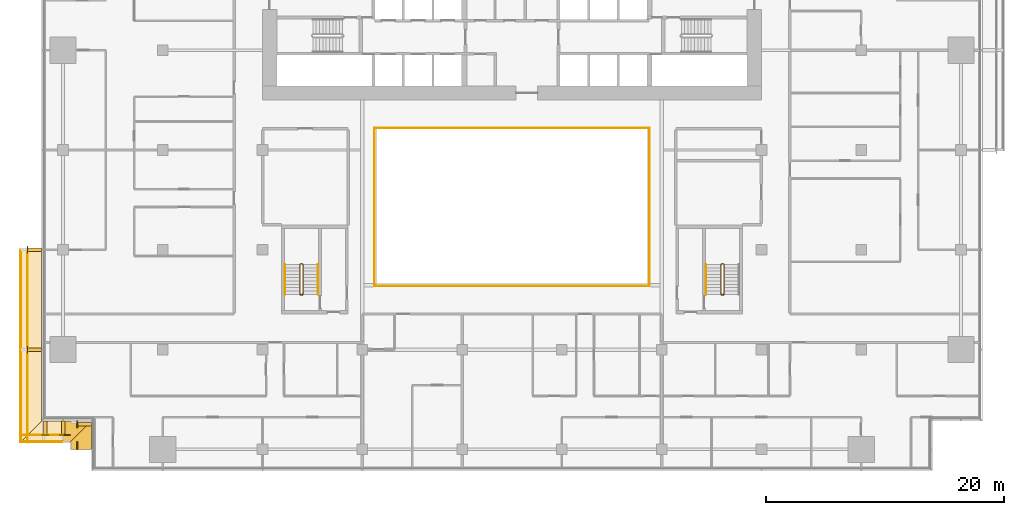
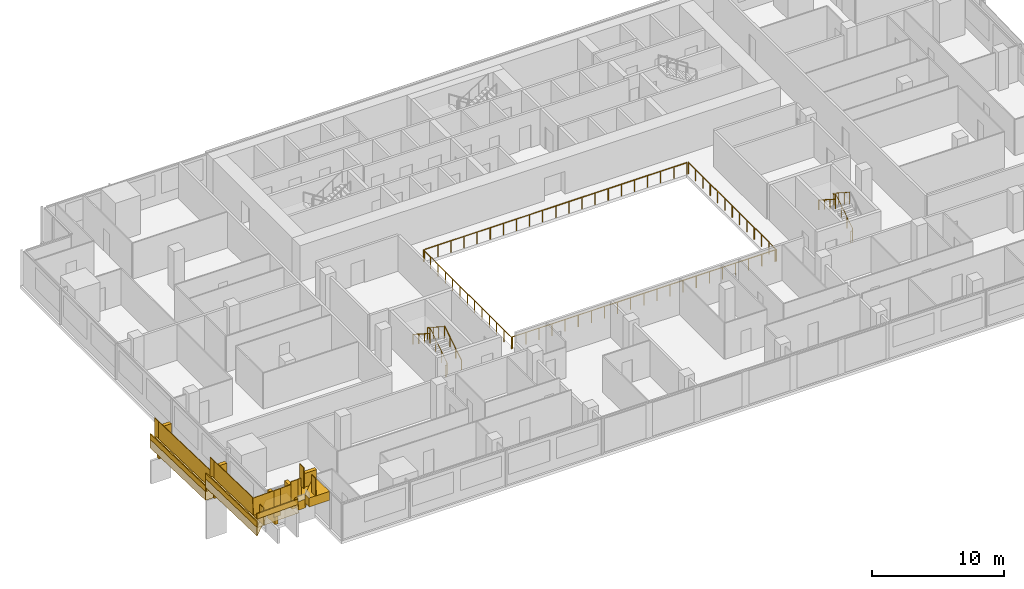
# One storey, part 23 of 27: 19 railings, 13 coverings.
"""IFC4 building model written with IfcOpenShell, lengths in metres."""

from ifc_helpers import new_model, si_unit, direction, frame, origin, origin_2d, place, context, subcontext, project, spatial, polyline, rectangle, circle, outline, extrude, material, layer, layer_set, type_object, element, save


model = new_model("IFC4")

# Units and contexts
model_context = context("Model", 3, precision=1e-05, world=origin(), true_north=direction((0.0, 1.0)))
body_context = subcontext(model_context, "Body", "Model", "MODEL_VIEW")
ifc_project = project(units=[si_unit("LENGTHUNIT", "METRE"), si_unit("AREAUNIT", "SQUARE_METRE"), si_unit("VOLUMEUNIT", "CUBIC_METRE"), si_unit("PLANEANGLEUNIT", "RADIAN"), si_unit("MASSUNIT", "GRAM", prefix="KILO")], contexts=[model_context])

# Site, building, storey
site_placement = place(None, origin())
site = spatial("IfcSite", under=ifc_project, at=site_placement, CompositionType="ELEMENT")
building_placement = place(site_placement, origin())
building = spatial("IfcBuilding", under=site, at=building_placement, Name="Saffron Gate Tower", CompositionType="ELEMENT")
storey_placement = place(building_placement, frame((0.0, 0.0, 76.800048828125)))
storey = spatial("IfcBuildingStorey", under=building, at=storey_placement, Name="L18", CompositionType="ELEMENT", Elevation=76.800048828125)

# Railings
ifc_material_1 = material(Name="Stainless steel and laminated glass", Category="steel")
railing_type_1 = type_object("IfcRailingType", Name="AG1 Atrium edge guard 1100", PredefinedType="GUARDRAIL", material=ifc_material_1)
railing_1_placement = place(storey_placement, frame((76.02001953125, 45.5400390625, 0.0)))
element("IfcRailing", 1, at=railing_1_placement, inside=storey, type_object=railing_type_1, Name="Guard A4-1", PredefinedType="GUARDRAIL", context=body_context, shape_type="SweptSolid", body=[
    extrude(circle(Radius=0.02392578125, at=origin_2d()), frame((0.0, 0.0, 1.076171875), z_axis=(0.0, 1.0, 0.0), x_axis=(-1.0, 0.0, 0.0)), (0.0, 0.0, 1.0), 13.320068359375),
    extrude(circle(Radius=0.02099609375, at=origin_2d()), origin(), (0.0, 0.0, 1.0), 1.052001953125),
    extrude(circle(Radius=0.02099609375, at=origin_2d()), frame((0.0, 1.110107421875, 0.0)), (0.0, 0.0, 1.0), 1.052001953125),
    extrude(circle(Radius=0.02099609375, at=origin_2d()), frame((0.0, 2.219970703125, 0.0)), (0.0, 0.0, 1.0), 1.052001953125),
    extrude(circle(Radius=0.02099609375, at=origin_2d()), frame((0.0, 3.330078125, 0.0)), (0.0, 0.0, 1.0), 1.052001953125),
    extrude(circle(Radius=0.02099609375, at=origin_2d()), frame((0.0, 4.43994140625, 0.0)), (0.0, 0.0, 1.0), 1.052001953125),
    extrude(circle(Radius=0.02099609375, at=origin_2d()), frame((0.0, 5.550048828125, 0.0)), (0.0, 0.0, 1.0), 1.052001953125),
    extrude(circle(Radius=0.02099609375, at=origin_2d()), frame((0.0, 6.66015625, 0.0)), (0.0, 0.0, 1.0), 1.052001953125),
    extrude(circle(Radius=0.02099609375, at=origin_2d()), frame((0.0, 7.77001953125, 0.0)), (0.0, 0.0, 1.0), 1.052001953125),
    extrude(circle(Radius=0.02099609375, at=origin_2d()), frame((0.0, 8.880126953125, 0.0)), (0.0, 0.0, 1.0), 1.052001953125),
    extrude(circle(Radius=0.02099609375, at=origin_2d()), frame((0.0, 9.989990234375, 0.0)), (0.0, 0.0, 1.0), 1.052001953125),
    extrude(circle(Radius=0.02099609375, at=origin_2d()), frame((0.0, 11.10009765625, 0.0)), (0.0, 0.0, 1.0), 1.052001953125),
    extrude(circle(Radius=0.02099609375, at=origin_2d()), frame((0.0, 12.2099609375, 0.0)), (0.0, 0.0, 1.0), 1.052001953125),
    extrude(circle(Radius=0.02099609375, at=origin_2d()), frame((0.0, 13.320068359375, 0.0)), (0.0, 0.0, 1.0), 1.052001953125),
])
railing_2_placement = place(storey_placement, frame((76.139892578125, 58.860107421875, 0.0)))
element("IfcRailing", 2, at=railing_2_placement, inside=storey, type_object=railing_type_1, Name="Guard A4-2", PredefinedType="GUARDRAIL", context=body_context, shape_type="SweptSolid", body=[
    extrude(circle(Radius=0.02392578125, at=origin_2d()), frame((0.0, 0.0, 1.076171875), z_axis=(1.0, 0.0, 0.0), x_axis=(0.0, 1.0, 0.0)), (0.0, 0.0, 1.0), 22.920166015625),
    extrude(circle(Radius=0.02099609375, at=origin_2d()), origin(), (0.0, 0.0, 1.0), 1.052001953125),
    extrude(circle(Radius=0.02099609375, at=origin_2d()), frame((1.14599609375, 0.0, 0.0)), (0.0, 0.0, 1.0), 1.052001953125),
    extrude(circle(Radius=0.02099609375, at=origin_2d()), frame((2.2919921875, 0.0, 0.0)), (0.0, 0.0, 1.0), 1.052001953125),
    extrude(circle(Radius=0.02099609375, at=origin_2d()), frame((3.43798828125, 0.0, 0.0)), (0.0, 0.0, 1.0), 1.052001953125),
    extrude(circle(Radius=0.02099609375, at=origin_2d()), frame((4.583984375, 0.0, 0.0)), (0.0, 0.0, 1.0), 1.052001953125),
    extrude(circle(Radius=0.02099609375, at=origin_2d()), frame((5.72998046875, 0.0, 0.0)), (0.0, 0.0, 1.0), 1.052001953125),
    extrude(circle(Radius=0.02099609375, at=origin_2d()), frame((6.8759765625, 0.0, 0.0)), (0.0, 0.0, 1.0), 1.052001953125),
    extrude(circle(Radius=0.02099609375, at=origin_2d()), frame((8.02197265625, 0.0, 0.0)), (0.0, 0.0, 1.0), 1.052001953125),
    extrude(circle(Radius=0.02099609375, at=origin_2d()), frame((9.16796875, 0.0, 0.0)), (0.0, 0.0, 1.0), 1.052001953125),
    extrude(circle(Radius=0.02099609375, at=origin_2d()), frame((10.31396484375, 0.0, 0.0)), (0.0, 0.0, 1.0), 1.052001953125),
    extrude(circle(Radius=0.02099609375, at=origin_2d()), frame((11.4599609375, 0.0, 0.0)), (0.0, 0.0, 1.0), 1.052001953125),
    extrude(circle(Radius=0.02099609375, at=origin_2d()), frame((12.606201171875, 0.0, 0.0)), (0.0, 0.0, 1.0), 1.052001953125),
    extrude(circle(Radius=0.02099609375, at=origin_2d()), frame((13.752197265625, 0.0, 0.0)), (0.0, 0.0, 1.0), 1.052001953125),
    extrude(circle(Radius=0.02099609375, at=origin_2d()), frame((14.898193359375, 0.0, 0.0)), (0.0, 0.0, 1.0), 1.052001953125),
    extrude(circle(Radius=0.02099609375, at=origin_2d()), frame((16.044189453125, 0.0, 0.0)), (0.0, 0.0, 1.0), 1.052001953125),
    extrude(circle(Radius=0.02099609375, at=origin_2d()), frame((17.190185546875, 0.0, 0.0)), (0.0, 0.0, 1.0), 1.052001953125),
    extrude(circle(Radius=0.02099609375, at=origin_2d()), frame((18.336181640625, 0.0, 0.0)), (0.0, 0.0, 1.0), 1.052001953125),
    extrude(circle(Radius=0.02099609375, at=origin_2d()), frame((19.482177734375, 0.0, 0.0)), (0.0, 0.0, 1.0), 1.052001953125),
    extrude(circle(Radius=0.02099609375, at=origin_2d()), frame((20.628173828125, 0.0, 0.0)), (0.0, 0.0, 1.0), 1.052001953125),
    extrude(circle(Radius=0.02099609375, at=origin_2d()), frame((21.774169921875, 0.0, 0.0)), (0.0, 0.0, 1.0), 1.052001953125),
    extrude(circle(Radius=0.02099609375, at=origin_2d()), frame((22.920166015625, 0.0, 0.0)), (0.0, 0.0, 1.0), 1.052001953125),
])
railing_3_placement = place(storey_placement, frame((99.179931640625, 58.860107421875, 0.0)))
element("IfcRailing", 3, at=railing_3_placement, inside=storey, type_object=railing_type_1, Name="Guard A4-3", PredefinedType="GUARDRAIL", context=body_context, shape_type="SweptSolid", body=[
    extrude(circle(Radius=0.02392578125, at=origin_2d()), frame((0.0, 0.0, 1.076171875), z_axis=(0.0, -1.0, 0.0), x_axis=(1.0, 0.0, 0.0)), (0.0, 0.0, 1.0), 13.320068359375),
    extrude(circle(Radius=0.02099609375, at=origin_2d()), origin(), (0.0, 0.0, 1.0), 1.052001953125),
    extrude(circle(Radius=0.02099609375, at=origin_2d()), frame((0.0, -1.110107421875, 0.0)), (0.0, 0.0, 1.0), 1.052001953125),
    extrude(circle(Radius=0.02099609375, at=origin_2d()), frame((0.0, -2.219970703125, 0.0)), (0.0, 0.0, 1.0), 1.052001953125),
    extrude(circle(Radius=0.02099609375, at=origin_2d()), frame((0.0, -3.330078125, 0.0)), (0.0, 0.0, 1.0), 1.052001953125),
    extrude(circle(Radius=0.02099609375, at=origin_2d()), frame((0.0, -4.43994140625, 0.0)), (0.0, 0.0, 1.0), 1.052001953125),
    extrude(circle(Radius=0.02099609375, at=origin_2d()), frame((0.0, -5.550048828125, 0.0)), (0.0, 0.0, 1.0), 1.052001953125),
    extrude(circle(Radius=0.02099609375, at=origin_2d()), frame((0.0, -6.66015625, 0.0)), (0.0, 0.0, 1.0), 1.052001953125),
    extrude(circle(Radius=0.02099609375, at=origin_2d()), frame((0.0, -7.77001953125, 0.0)), (0.0, 0.0, 1.0), 1.052001953125),
    extrude(circle(Radius=0.02099609375, at=origin_2d()), frame((0.0, -8.880126953125, 0.0)), (0.0, 0.0, 1.0), 1.052001953125),
    extrude(circle(Radius=0.02099609375, at=origin_2d()), frame((0.0, -9.989990234375, 0.0)), (0.0, 0.0, 1.0), 1.052001953125),
    extrude(circle(Radius=0.02099609375, at=origin_2d()), frame((0.0, -11.10009765625, 0.0)), (0.0, 0.0, 1.0), 1.052001953125),
    extrude(circle(Radius=0.02099609375, at=origin_2d()), frame((0.0, -12.2099609375, 0.0)), (0.0, 0.0, 1.0), 1.052001953125),
    extrude(circle(Radius=0.02099609375, at=origin_2d()), frame((0.0, -13.320068359375, 0.0)), (0.0, 0.0, 1.0), 1.052001953125),
])
railing_4_placement = place(storey_placement, frame((99.06005859375, 45.5400390625, 0.0)))
element("IfcRailing", 4, at=railing_4_placement, inside=storey, type_object=railing_type_1, Name="Guard A4-4", PredefinedType="GUARDRAIL", context=body_context, shape_type="SweptSolid", body=[
    extrude(circle(Radius=0.02392578125, at=origin_2d()), frame((0.0, 0.0, 1.076171875), z_axis=(-1.0, 0.0, 0.0), x_axis=(0.0, -1.0, 0.0)), (0.0, 0.0, 1.0), 22.920166015625),
    extrude(circle(Radius=0.02099609375, at=origin_2d()), origin(), (0.0, 0.0, 1.0), 1.052001953125),
    extrude(circle(Radius=0.02099609375, at=origin_2d()), frame((-1.14599609375, 0.0, 0.0)), (0.0, 0.0, 1.0), 1.052001953125),
    extrude(circle(Radius=0.02099609375, at=origin_2d()), frame((-2.2919921875, 0.0, 0.0)), (0.0, 0.0, 1.0), 1.052001953125),
    extrude(circle(Radius=0.02099609375, at=origin_2d()), frame((-3.43798828125, 0.0, 0.0)), (0.0, 0.0, 1.0), 1.052001953125),
    extrude(circle(Radius=0.02099609375, at=origin_2d()), frame((-4.583984375, 0.0, 0.0)), (0.0, 0.0, 1.0), 1.052001953125),
    extrude(circle(Radius=0.02099609375, at=origin_2d()), frame((-5.72998046875, 0.0, 0.0)), (0.0, 0.0, 1.0), 1.052001953125),
    extrude(circle(Radius=0.02099609375, at=origin_2d()), frame((-6.8759765625, 0.0, 0.0)), (0.0, 0.0, 1.0), 1.052001953125),
    extrude(circle(Radius=0.02099609375, at=origin_2d()), frame((-8.02197265625, 0.0, 0.0)), (0.0, 0.0, 1.0), 1.052001953125),
    extrude(circle(Radius=0.02099609375, at=origin_2d()), frame((-9.16796875, 0.0, 0.0)), (0.0, 0.0, 1.0), 1.052001953125),
    extrude(circle(Radius=0.02099609375, at=origin_2d()), frame((-10.31396484375, 0.0, 0.0)), (0.0, 0.0, 1.0), 1.052001953125),
    extrude(circle(Radius=0.02099609375, at=origin_2d()), frame((-11.4599609375, 0.0, 0.0)), (0.0, 0.0, 1.0), 1.052001953125),
    extrude(circle(Radius=0.02099609375, at=origin_2d()), frame((-12.606201171875, 0.0, 0.0)), (0.0, 0.0, 1.0), 1.052001953125),
    extrude(circle(Radius=0.02099609375, at=origin_2d()), frame((-13.752197265625, 0.0, 0.0)), (0.0, 0.0, 1.0), 1.052001953125),
    extrude(circle(Radius=0.02099609375, at=origin_2d()), frame((-14.898193359375, 0.0, 0.0)), (0.0, 0.0, 1.0), 1.052001953125),
    extrude(circle(Radius=0.02099609375, at=origin_2d()), frame((-16.044189453125, 0.0, 0.0)), (0.0, 0.0, 1.0), 1.052001953125),
    extrude(circle(Radius=0.02099609375, at=origin_2d()), frame((-17.190185546875, 0.0, 0.0)), (0.0, 0.0, 1.0), 1.052001953125),
    extrude(circle(Radius=0.02099609375, at=origin_2d()), frame((-18.336181640625, 0.0, 0.0)), (0.0, 0.0, 1.0), 1.052001953125),
    extrude(circle(Radius=0.02099609375, at=origin_2d()), frame((-19.482177734375, 0.0, 0.0)), (0.0, 0.0, 1.0), 1.052001953125),
    extrude(circle(Radius=0.02099609375, at=origin_2d()), frame((-20.628173828125, 0.0, 0.0)), (0.0, 0.0, 1.0), 1.052001953125),
    extrude(circle(Radius=0.02099609375, at=origin_2d()), frame((-21.774169921875, 0.0, 0.0)), (0.0, 0.0, 1.0), 1.052001953125),
    extrude(circle(Radius=0.02099609375, at=origin_2d()), frame((-22.920166015625, 0.0, 0.0)), (0.0, 0.0, 1.0), 1.052001953125),
])
railing_type_2 = type_object("IfcRailingType", Name="CR1 Stair guard 1100", PredefinedType="GUARDRAIL", material=ifc_material_1)
railing_5_placement = place(storey_placement, frame((69.800048828125, 44.800048828125, 0.0)))
element("IfcRailing", 5, at=railing_5_placement, inside=storey, type_object=railing_type_2, Name="L18 ST-D stair guard 1", PredefinedType="GUARDRAIL", context=body_context, shape_type="SweptSolid", body=[
    extrude(circle(Radius=0.02392578125, at=origin_2d()), frame((0.0, 0.0, 1.076171875), z_axis=(1.0, 0.0, 0.0), x_axis=(0.0, 1.0, 0.0)), (0.0, 0.0, 1.0), 0.14990234375),
    extrude(circle(Radius=0.02392578125, at=origin_2d()), frame((0.14990234375, 0.0, 1.076171875), z_axis=(0.258847668887, 0.258847668887, 0.930588936439), x_axis=(-0.707106781187, 0.707106781187, 0.0)), (0.0, 0.0, 1.0), 0.193359375),
    extrude(circle(Radius=0.02392578125, at=origin_2d()), frame((0.199951171875, 0.050048828125, 1.255859375), z_axis=(0.0, 0.841162588446, 0.540782303519), x_axis=(-1.0, 0.0, 0.0)), (0.0, 0.0, 1.0), 2.995849609375),
    extrude(circle(Radius=0.02392578125, at=origin_2d()), frame((0.199951171875, 2.570068359375, 2.8759765625), z_axis=(-0.708833529934, 0.705375805398, 0.0), x_axis=(-0.705375805398, -0.708833529934, 0.0)), (0.0, 0.0, 1.0), 0.070556640625),
    extrude(circle(Radius=0.02392578125, at=origin_2d()), frame((0.14990234375, 2.619873046875, 2.8759765625), z_axis=(-1.0, 0.0, 0.0), x_axis=(0.0, -1.0, 0.0)), (0.0, 0.0, 1.0), 0.14990234375),
    extrude(circle(Radius=0.02392578125, at=origin_2d()), frame((0.0, 2.619873046875, 2.8759765625), z_axis=(-0.258932105505, -0.257669022063, 0.930892496375), x_axis=(0.705375805398, -0.708833529934, 0.0)), (0.0, 0.0, 1.0), 0.193359375),
    extrude(circle(Radius=0.02392578125, at=origin_2d()), frame((-0.050048828125, 2.570068359375, 3.05615234375), z_axis=(0.0, -0.841199657755, 0.540724639528), x_axis=(1.0, 0.0, 0.0)), (0.0, 0.0, 1.0), 2.995849609375),
    extrude(circle(Radius=0.02099609375, at=origin_2d()), origin(), (0.0, 0.0, 1.0), 1.052001953125),
    extrude(circle(Radius=0.02099609375, at=origin_2d()), frame((0.14990234375, 0.0, 0.0)), (0.0, 0.0, 1.0), 1.052001953125),
    extrude(circle(Radius=0.02099609375, at=origin_2d()), frame((0.199951171875, 0.050048828125, 0.179931640625)), (0.0, 0.0, 1.0), 1.052001953125),
    extrude(circle(Radius=0.02099609375, at=origin_2d()), frame((0.199951171875, 0.89013671875, 0.719970703125)), (0.0, 0.0, 1.0), 1.052001953125),
    extrude(circle(Radius=0.02099609375, at=origin_2d()), frame((0.199951171875, 1.72998046875, 1.260009765625)), (0.0, 0.0, 1.0), 1.052001953125),
    extrude(circle(Radius=0.02099609375, at=origin_2d()), frame((0.199951171875, 2.570068359375, 1.800048828125)), (0.0, 0.0, 1.0), 1.052001953125),
    extrude(circle(Radius=0.02099609375, at=origin_2d()), frame((0.14990234375, 2.619873046875, 1.800048828125)), (0.0, 0.0, 1.0), 1.052001953125),
    extrude(circle(Radius=0.02099609375, at=origin_2d()), frame((0.0, 2.619873046875, 1.800048828125)), (0.0, 0.0, 1.0), 1.052001953125),
    extrude(circle(Radius=0.02099609375, at=origin_2d()), frame((-0.050048828125, 2.570068359375, 1.97998046875)), (0.0, 0.0, 1.0), 1.052001953125),
    extrude(circle(Radius=0.02099609375, at=origin_2d()), frame((-0.050048828125, 1.72998046875, 2.52001953125)), (0.0, 0.0, 1.0), 1.052001953125),
    extrude(circle(Radius=0.02099609375, at=origin_2d()), frame((-0.050048828125, 0.89013671875, 3.059814453125)), (0.0, 0.0, 1.0), 1.052001953125),
    extrude(circle(Radius=0.02099609375, at=origin_2d()), frame((-0.050048828125, 0.050048828125, 3.599853515625)), (0.0, 0.0, 1.0), 1.052001953125),
])
railing_6_placement = place(storey_placement, frame((105.25, 44.800048828125, 0.0)))
element("IfcRailing", 6, at=railing_6_placement, inside=storey, type_object=railing_type_2, Name="L18 ST-E stair guard 1", PredefinedType="GUARDRAIL", context=body_context, shape_type="SweptSolid", body=[
    extrude(circle(Radius=0.02392578125, at=origin_2d()), frame((0.0, 0.0, 1.076171875), z_axis=(1.0, 0.0, 0.0), x_axis=(0.0, 1.0, 0.0)), (0.0, 0.0, 1.0), 0.14990234375),
    extrude(circle(Radius=0.02392578125, at=origin_2d()), frame((0.14990234375, 0.0, 1.076171875), z_axis=(0.258847668887, 0.258847668887, 0.930588936439), x_axis=(-0.707106781187, 0.707106781187, 0.0)), (0.0, 0.0, 1.0), 0.193359375),
    extrude(circle(Radius=0.02392578125, at=origin_2d()), frame((0.199951171875, 0.050048828125, 1.255859375), z_axis=(0.0, 0.841162588446, 0.540782303519), x_axis=(-1.0, 0.0, 0.0)), (0.0, 0.0, 1.0), 2.995849609375),
    extrude(circle(Radius=0.02392578125, at=origin_2d()), frame((0.199951171875, 2.570068359375, 2.8759765625), z_axis=(-0.708833529934, 0.705375805398, 0.0), x_axis=(-0.705375805398, -0.708833529934, 0.0)), (0.0, 0.0, 1.0), 0.070556640625),
    extrude(circle(Radius=0.02392578125, at=origin_2d()), frame((0.14990234375, 2.619873046875, 2.8759765625), z_axis=(-1.0, 0.0, 0.0), x_axis=(0.0, -1.0, 0.0)), (0.0, 0.0, 1.0), 0.14990234375),
    extrude(circle(Radius=0.02392578125, at=origin_2d()), frame((0.0, 2.619873046875, 2.8759765625), z_axis=(-0.258932105505, -0.257669022063, 0.930892496375), x_axis=(0.705375805398, -0.708833529934, 0.0)), (0.0, 0.0, 1.0), 0.193359375),
    extrude(circle(Radius=0.02392578125, at=origin_2d()), frame((-0.050048828125, 2.570068359375, 3.05615234375), z_axis=(0.0, -0.841199657755, 0.540724639528), x_axis=(1.0, 0.0, 0.0)), (0.0, 0.0, 1.0), 2.995849609375),
    extrude(circle(Radius=0.02099609375, at=origin_2d()), origin(), (0.0, 0.0, 1.0), 1.052001953125),
    extrude(circle(Radius=0.02099609375, at=origin_2d()), frame((0.14990234375, 0.0, 0.0)), (0.0, 0.0, 1.0), 1.052001953125),
    extrude(circle(Radius=0.02099609375, at=origin_2d()), frame((0.199951171875, 0.050048828125, 0.179931640625)), (0.0, 0.0, 1.0), 1.052001953125),
    extrude(circle(Radius=0.02099609375, at=origin_2d()), frame((0.199951171875, 0.89013671875, 0.719970703125)), (0.0, 0.0, 1.0), 1.052001953125),
    extrude(circle(Radius=0.02099609375, at=origin_2d()), frame((0.199951171875, 1.72998046875, 1.260009765625)), (0.0, 0.0, 1.0), 1.052001953125),
    extrude(circle(Radius=0.02099609375, at=origin_2d()), frame((0.199951171875, 2.570068359375, 1.800048828125)), (0.0, 0.0, 1.0), 1.052001953125),
    extrude(circle(Radius=0.02099609375, at=origin_2d()), frame((0.14990234375, 2.619873046875, 1.800048828125)), (0.0, 0.0, 1.0), 1.052001953125),
    extrude(circle(Radius=0.02099609375, at=origin_2d()), frame((0.0, 2.619873046875, 1.800048828125)), (0.0, 0.0, 1.0), 1.052001953125),
    extrude(circle(Radius=0.02099609375, at=origin_2d()), frame((-0.050048828125, 2.570068359375, 1.97998046875)), (0.0, 0.0, 1.0), 1.052001953125),
    extrude(circle(Radius=0.02099609375, at=origin_2d()), frame((-0.050048828125, 1.72998046875, 2.52001953125)), (0.0, 0.0, 1.0), 1.052001953125),
    extrude(circle(Radius=0.02099609375, at=origin_2d()), frame((-0.050048828125, 0.89013671875, 3.059814453125)), (0.0, 0.0, 1.0), 1.052001953125),
    extrude(circle(Radius=0.02099609375, at=origin_2d()), frame((-0.050048828125, 0.050048828125, 3.599853515625)), (0.0, 0.0, 1.0), 1.052001953125),
])
ifc_material_2 = material(Name="Stainless steel", Category="steel")
railing_type_3 = type_object("IfcRailingType", Name="CR2 Stair handrail 900", PredefinedType="HANDRAIL", material=ifc_material_2)
railing_7_placement = place(storey_placement, frame((71.25, 44.85009765625, 0.179931640625)))
element("IfcRailing", 7, at=railing_7_placement, inside=storey, type_object=railing_type_3, Name="L18 ST-D stair handrail 1", PredefinedType="HANDRAIL", context=body_context, shape_type="SweptSolid", body=[
    extrude(circle(Radius=0.02392578125, at=origin_2d()), frame((0.0, 0.0, 0.8759765625), z_axis=(0.0, 0.841162588446, 0.540782303519), x_axis=(-1.0, 0.0, 0.0)), (0.0, 0.0, 1.0), 2.995849609375),
    extrude(circle(Radius=0.02099609375, at=origin_2d()), origin(), (0.0, 0.0, 1.0), 0.851806640625),
    extrude(circle(Radius=0.02099609375, at=origin_2d()), frame((0.0, 0.840087890625, 0.5400390625)), (0.0, 0.0, 1.0), 0.851806640625),
    extrude(circle(Radius=0.02099609375, at=origin_2d()), frame((0.0, 1.679931640625, 1.080078125)), (0.0, 0.0, 1.0), 0.851806640625),
    extrude(circle(Radius=0.02099609375, at=origin_2d()), frame((0.0, 2.52001953125, 1.6201171875)), (0.0, 0.0, 1.0), 0.851806640625),
])
for number, where, name in (
    (8, (68.5, 47.3701171875, 1.97998046875), "L18 ST-D stair handrail 2"),
    (9, (103.949951171875, 47.3701171875, 1.97998046875), "L18 ST-E stair handrail 2"),
):
    element("IfcRailing", number, at=place(storey_placement, frame(where)), inside=storey, type_object=railing_type_3, Name=name, PredefinedType="HANDRAIL", context=body_context, shape_type="SweptSolid", body=[
        extrude(circle(Radius=0.02392578125, at=origin_2d()), frame((0.0, 0.0, 0.8759765625), z_axis=(0.0, -0.841199657755, 0.540724639528), x_axis=(1.0, 0.0, 0.0)), (0.0, 0.0, 1.0), 2.995849609375),
        extrude(circle(Radius=0.02099609375, at=origin_2d()), origin(), (0.0, 0.0, 1.0), 0.851806640625),
        extrude(circle(Radius=0.02099609375, at=origin_2d()), frame((0.0, -0.840087890625, 0.5400390625)), (0.0, 0.0, 1.0), 0.851806640625),
        extrude(circle(Radius=0.02099609375, at=origin_2d()), frame((0.0, -1.679931640625, 1.079833984375)), (0.0, 0.0, 1.0), 0.851806640625),
        extrude(circle(Radius=0.02099609375, at=origin_2d()), frame((0.0, -2.52001953125, 1.619873046875)), (0.0, 0.0, 1.0), 0.851806640625),
    ])

# Coverings
ifc_material_3 = material(Name="Timber, thermally modified ash", Category="wood")
ifc_layer_1 = layer(ifc_material_3, 0.800048828125)
ifc_layer_set_1 = layer_set([ifc_layer_1], Name="LD1 ledge timber")
covering_type_1 = type_object("IfcCoveringType", Name="LD1 ledge timber", PredefinedType="CLADDING", material=ifc_layer_set_1)
covering_1_placement = place(storey_placement, frame((48.0, 48.60009765625, 0.2431640625), z_axis=(0.0, 0.028790339263, 0.999585472266), x_axis=(0.0, -0.999585472266, 0.028790339263)))
element("IfcCovering", 10, at=covering_1_placement, inside=storey, type_object=covering_type_1, Name="LEDGE", PredefinedType="CLADDING", context=body_context, shape_type="SweptSolid", body=[
    extrude(outline(polyline([(0.0, 0.0), (8.403630022085892, 0.0), (8.403630022085892, -1.800048828125), (0.0, -1.800048828125), (0.0, 0.0)])), origin(), (0.0, 0.0, -1.0), 0.800048828125),
])
covering_2_placement = place(storey_placement, frame((48.0, 40.199951171875, 1.685302734375), z_axis=(3.5027307e-05, 0.028807146299, 0.99958498743), x_axis=(3.68e-10, -0.999584988043, 0.028807146316)))
element("IfcCovering", 11, at=covering_2_placement, inside=storey, type_object=covering_type_1, Name="LEDGE", PredefinedType="CLADDING", context=body_context, shape_type="SweptSolid", body=[
    extrude(outline(polyline([(0.0, 0.0), (6.0024892885105, -2.541098841762901e-21), (7.8032891020589235, -1.8000488321003227), (-6.622937652878055e-10, -1.8000488270207489), (0.0, 0.0)])), origin(), (0.0, 0.0, -1.0), 0.800048828125),
])
covering_3_placement = place(storey_placement, frame((48.0, 34.199951171875, 2.715576171875), z_axis=(-0.028831989003, 4.5191205e-05, 0.999584270769), x_axis=(0.999584271789, -2.041e-09, 0.028831989032)))
element("IfcCovering", 12, at=covering_3_placement, inside=storey, type_object=covering_type_1, Name="LEDGE", PredefinedType="CLADDING", context=body_context, shape_type="SweptSolid", body=[
    extrude(outline(polyline([(0.0, 0.0), (1.8007998167885757, 0.0), (1.8007998204631834, -1.80004882628693), (-1.8007927740541456, -1.800048837315338), (0.0, 0.0)])), origin(), (0.0, 0.0, -1.0), 0.800048828125),
])
covering_4_placement = place(storey_placement, frame((49.800048828125, 34.199951171875, 3.024658203125), z_axis=(-0.028798988267, 2.8677152e-05, 0.999585222706), x_axis=(0.999585223117, 6.17e-10, 0.028798988279)))
element("IfcCovering", 13, at=covering_4_placement, inside=storey, type_object=covering_type_1, Name="LEDGE", PredefinedType="CLADDING", context=body_context, shape_type="SweptSolid", body=[
    extrude(outline(polyline([(0.0, 0.0), (2.400896693585025, 4.235164736271502e-22), (0.6001039103565923, -1.8000488292351675), (-1.1098572600196767e-09, -1.8000488273848385), (0.0, 0.0)])), origin(), (0.0, 0.0, -1.0), 0.800048828125),
])
covering_5_placement = place(storey_placement, frame((52.199951171875, 34.199951171875, 3.436767578125), z_axis=(7.9786444e-05, 0.028717702301, 0.99958755855), x_axis=(-4.773e-09, -0.999587561732, 0.028717702392)))
element("IfcCovering", 14, at=covering_5_placement, inside=storey, type_object=covering_type_1, Name="LEDGE", PredefinedType="CLADDING", context=body_context, shape_type="SweptSolid", body=[
    extrude(outline(polyline([(0.0, 0.0), (2.400896689844359, 8.470329472543003e-22), (2.400896698435549, -1.8000488223955553), (1.8007998043088487, -1.800048836718559), (0.0, 0.0)])), origin(), (0.0, 0.0, -1.0), 0.800048828125),
])
ifc_layer_2 = layer(ifc_material_3, 0.080078125)
ifc_layer_set_2 = layer_set([ifc_layer_2], Name="LD2 ledge planter trough")
covering_type_2 = type_object("IfcCoveringType", Name="LD2 ledge planter trough", PredefinedType="CLADDING", material=ifc_layer_set_2)
covering_6_placement = place(storey_placement, frame((46.199951171875, 48.60009765625, 0.2431640625), z_axis=(-1.0, 0.0, 0.0), x_axis=(0.0, -0.999585472266, 0.028790339263)))
element("IfcCovering", 15, at=covering_6_placement, inside=storey, type_object=covering_type_2, Name="LEDGE planter trough", PredefinedType="CLADDING", context=body_context, shape_type="SweptSolid", body=[
    extrude(outline(polyline([(0.0, 0.0), (8.403630022085892, 0.0), (8.418025191717298, 0.4997927361329725), (0.014395169631405694, 0.4997927361329725), (0.0, 0.0)])), origin(), (0.0, 0.0, -1.0), 0.080078125),
])
covering_7_placement = place(storey_placement, frame((46.199951171875, 40.199951171875, 1.685302734375), z_axis=(-1.0, 0.0, 0.0), x_axis=(0.0, -0.999584755248, 0.028815222999)))
element("IfcCovering", 16, at=covering_7_placement, inside=storey, type_object=covering_type_2, Name="LEDGE planter trough", PredefinedType="CLADDING", context=body_context, shape_type="SweptSolid", body=[
    extrude(outline(polyline([(0.0, 0.0), (7.803289102975944, 0.0), (7.8176967144752565, 0.4997923776238338), (0.014407611499312996, 0.4997923776238338), (0.0, 0.0)])), origin(), (0.0, 0.0, -1.0), 0.080078125),
])
covering_8_placement = place(storey_placement, frame((46.199951171875, 32.39990234375, 2.663818359375), z_axis=(0.0, -1.0, 0.0), x_axis=(0.99958492274, 0.0, 0.028809412191)))
element("IfcCovering", 17, at=covering_8_placement, inside=storey, type_object=covering_type_2, Name="LEDGE planter trough", PredefinedType="CLADDING", context=body_context, shape_type="SweptSolid", body=[
    extrude(outline(polyline([(0.0, 0.0), (3.601592595435983, 0.0), (3.6159973015313485, 0.4997924613700232), (0.014404706095365512, 0.4997924613700232), (0.0, 0.0)])), origin(), (0.0, 0.0, -1.0), 0.080078125),
])
ifc_layer_3 = layer(ifc_material_3, 0.300048828125)
ifc_layer_set_3 = layer_set([ifc_layer_3], Name="LD3 ledge riser fin")
covering_type_3 = type_object("IfcCoveringType", Name="LD3 ledge riser fin", PredefinedType="CLADDING", material=ifc_layer_set_3)
for number, where, z_axis, x_axis, name in (
    (18, (47.43994140625, 48.60009765625, -1.75732421875), (0.0, 0.0, 1.0), (0.0, -1.0, 0.0), "LEDGE riser fin"),
    (19, (47.43994140625, 40.199951171875, -0.31494140625), (0.0, 0.0, 1.0), (0.0, -1.0, 0.0), "LEDGE riser fin"),
):
    element("IfcCovering", number, at=place(storey_placement, frame(where, z_axis=z_axis, x_axis=x_axis)), inside=storey, type_object=covering_type_3, Name=name, PredefinedType="CLADDING", context=body_context, shape_type="SweptSolid", body=[
        extrude(rectangle(XDim=0.300048828125, YDim=1.1201171875, at=origin_2d()), origin(), (0.0, 0.0, 1.0), 2.900390625),
    ])
covering_9_placement = place(storey_placement, frame((48.300048828125, 33.639892578125, 1.05810546875), z_axis=(0.0, 0.0, 1.0), x_axis=(1.0, 0.0, 0.0)))
element("IfcCovering", 20, at=covering_9_placement, inside=storey, type_object=covering_type_3, Name="LEDGE riser fin", PredefinedType="CLADDING", context=body_context, shape_type="SweptSolid", body=[
    extrude(rectangle(XDim=0.300048828125, YDim=1.1201171875, at=origin_2d()), origin(), (0.0, 0.0, 1.0), 2.557373046875),
])
covering_10_placement = place(storey_placement, frame((49.800048828125, 33.639892578125, 1.96728515625), z_axis=(0.0, 0.0, 1.0), x_axis=(1.0, 0.0, 0.0)))
element("IfcCovering", 21, at=covering_10_placement, inside=storey, type_object=covering_type_3, Name="LEDGE riser fin", PredefinedType="CLADDING", context=body_context, shape_type="SweptSolid", body=[
    extrude(rectangle(XDim=0.300048828125, YDim=1.1201171875, at=origin_2d()), origin(), (0.0, 0.0, 1.0), 1.957275390625),
])
covering_11_placement = place(storey_placement, frame((51.639892578125, 33.89990234375, 2.2939453125), z_axis=(0.0, 0.0, 1.0), x_axis=(0.0, -1.0, 0.0)))
element("IfcCovering", 22, at=covering_11_placement, inside=storey, type_object=covering_type_3, Name="LEDGE riser fin", PredefinedType="CLADDING", context=body_context, shape_type="SweptSolid", body=[
    extrude(rectangle(XDim=0.300048828125, YDim=1.1201171875, at=origin_2d()), origin(), (0.0, 0.0, 1.0), 2.04296875),
])

# Railings
railing_type_4 = type_object("IfcRailingType", Name="LG1 ledge balustrade", PredefinedType="BALUSTRADE", material=ifc_material_3)
railing_8_placement = place(storey_placement, frame((46.800048828125, 48.60009765625, 0.2431640625)))
element("IfcRailing", 23, at=railing_8_placement, inside=storey, type_object=railing_type_4, Name="LEDGE BALUSTRADE", PredefinedType="BALUSTRADE", context=body_context, shape_type="SweptSolid", body=[
    extrude(rectangle(XDim=0.06005859375, YDim=1.60009765625, at=origin_2d()), frame((0.0, 0.0, 0.800048828125), z_axis=(0.0, -0.999585472266, 0.028790339263), x_axis=(1.0, 0.0, 0.0)), (0.0, 0.0, 1.0), 8.403564453125),
])
railing_9_placement = place(storey_placement, frame((46.800048828125, 48.89990234375, -0.957275390625)))
element("IfcRailing", 24, at=railing_9_placement, inside=storey, type_object=railing_type_4, Name="LEDGE BALUSTRADE", PredefinedType="BALUSTRADE", context=body_context, shape_type="SweptSolid", body=[
    extrude(rectangle(XDim=0.06005859375, YDim=2.80029296875, at=origin_2d()), frame((0.0, 0.0, 1.400146484375), z_axis=(0.0, -1.0, 0.0), x_axis=(1.0, 0.0, 0.0)), (0.0, 0.0, 1.0), 0.599853515625),
])
railing_10_placement = place(storey_placement, frame((46.800048828125, 40.199951171875, 1.685302734375)))
element("IfcRailing", 25, at=railing_10_placement, inside=storey, type_object=railing_type_4, Name="LEDGE BALUSTRADE", PredefinedType="BALUSTRADE", context=body_context, shape_type="SweptSolid", body=[
    extrude(rectangle(XDim=0.06005859375, YDim=1.60009765625, at=origin_2d()), frame((0.0, 0.0, 0.800048828125), z_axis=(0.0, -0.999584755248, 0.028815222999), x_axis=(1.0, 0.0, 0.0)), (0.0, 0.0, 1.0), 7.80322265625),
])
railing_11_placement = place(storey_placement, frame((46.800048828125, 40.5, 0.485107421875)))
element("IfcRailing", 26, at=railing_11_placement, inside=storey, type_object=railing_type_4, Name="LEDGE BALUSTRADE", PredefinedType="BALUSTRADE", context=body_context, shape_type="SweptSolid", body=[
    extrude(rectangle(XDim=0.06005859375, YDim=2.80029296875, at=origin_2d()), frame((0.0, 0.0, 1.400146484375), z_axis=(0.0, -1.0, 0.0), x_axis=(1.0, 0.0, 0.0)), (0.0, 0.0, 1.0), 0.60009765625),
])
railing_12_placement = place(storey_placement, frame((46.199951171875, 33.0, 2.663818359375)))
element("IfcRailing", 27, at=railing_12_placement, inside=storey, type_object=railing_type_4, Name="LEDGE BALUSTRADE", PredefinedType="BALUSTRADE", context=body_context, shape_type="SweptSolid", body=[
    extrude(rectangle(XDim=0.06005859375, YDim=1.60009765625, at=origin_2d()), frame((0.0, 0.0, 0.800048828125), z_axis=(0.99958492274, 0.0, 0.028809412191), x_axis=(0.0, 1.0, 0.0)), (0.0, 0.0, 1.0), 3.6015625),
])
railing_13_placement = place(storey_placement, frame((48.0, 33.0, 1.858154296875)))
element("IfcRailing", 28, at=railing_13_placement, inside=storey, type_object=railing_type_4, Name="LEDGE BALUSTRADE", PredefinedType="BALUSTRADE", context=body_context, shape_type="SweptSolid", body=[
    extrude(rectangle(XDim=0.06005859375, YDim=2.45751953125, at=origin_2d()), frame((0.0, 0.0, 1.228759765625), z_axis=(1.0, 0.0, 0.0), x_axis=(0.0, 1.0, 0.0)), (0.0, 0.0, 1.0), 0.60009765625),
])
railing_14_placement = place(storey_placement, frame((49.800048828125, 33.0, 3.024658203125)))
element("IfcRailing", 29, at=railing_14_placement, inside=storey, type_object=railing_type_4, Name="LEDGE BALUSTRADE", PredefinedType="BALUSTRADE", context=body_context, shape_type="SweptSolid", body=[
    extrude(rectangle(XDim=0.06005859375, YDim=1.60009765625, at=origin_2d()), frame((0.0, 0.0, 0.800048828125), z_axis=(0.999582742162, 0.0, 0.028884971385), x_axis=(0.0, 1.0, 0.0)), (0.0, 0.0, 1.0), 0.60009765625),
])
railing_15_placement = place(storey_placement, frame((49.5, 33.0, 2.767578125)))
element("IfcRailing", 30, at=railing_15_placement, inside=storey, type_object=railing_type_4, Name="LEDGE BALUSTRADE", PredefinedType="BALUSTRADE", context=body_context, shape_type="SweptSolid", body=[
    extrude(rectangle(XDim=0.06005859375, YDim=1.857177734375, at=origin_2d()), frame((0.0, 0.0, 0.9287109375), z_axis=(1.0, 0.0, 0.0), x_axis=(0.0, 1.0, 0.0)), (0.0, 0.0, 1.0), 0.60009765625),
])
railing_16_placement = place(storey_placement, frame((51.0, 32.39990234375, 3.48876953125)))
element("IfcRailing", 31, at=railing_16_placement, inside=storey, type_object=railing_type_4, Name="LEDGE BALUSTRADE", PredefinedType="BALUSTRADE", context=body_context, shape_type="SweptSolid", body=[
    extrude(rectangle(XDim=0.06005859375, YDim=1.60009765625, at=origin_2d()), frame((0.0, 0.0, 0.800048828125), z_axis=(0.0, -0.999594406032, 0.028478473106), x_axis=(1.0, 0.0, 0.0)), (0.0, 0.0, 1.0), 0.60009765625),
])
railing_17_placement = place(storey_placement, frame((51.0, 34.199951171875, 3.09375)))
element("IfcRailing", 32, at=railing_17_placement, inside=storey, type_object=railing_type_4, Name="LEDGE BALUSTRADE", PredefinedType="BALUSTRADE", context=body_context, shape_type="SweptSolid", body=[
    extrude(rectangle(XDim=0.06005859375, YDim=1.943115234375, at=origin_2d()), frame((0.0, 0.0, 0.9716796875), z_axis=(0.0, -1.0, 0.0), x_axis=(1.0, 0.0, 0.0)), (0.0, 0.0, 1.0), 0.599853515625),
])

save(model, "model.ifc")
